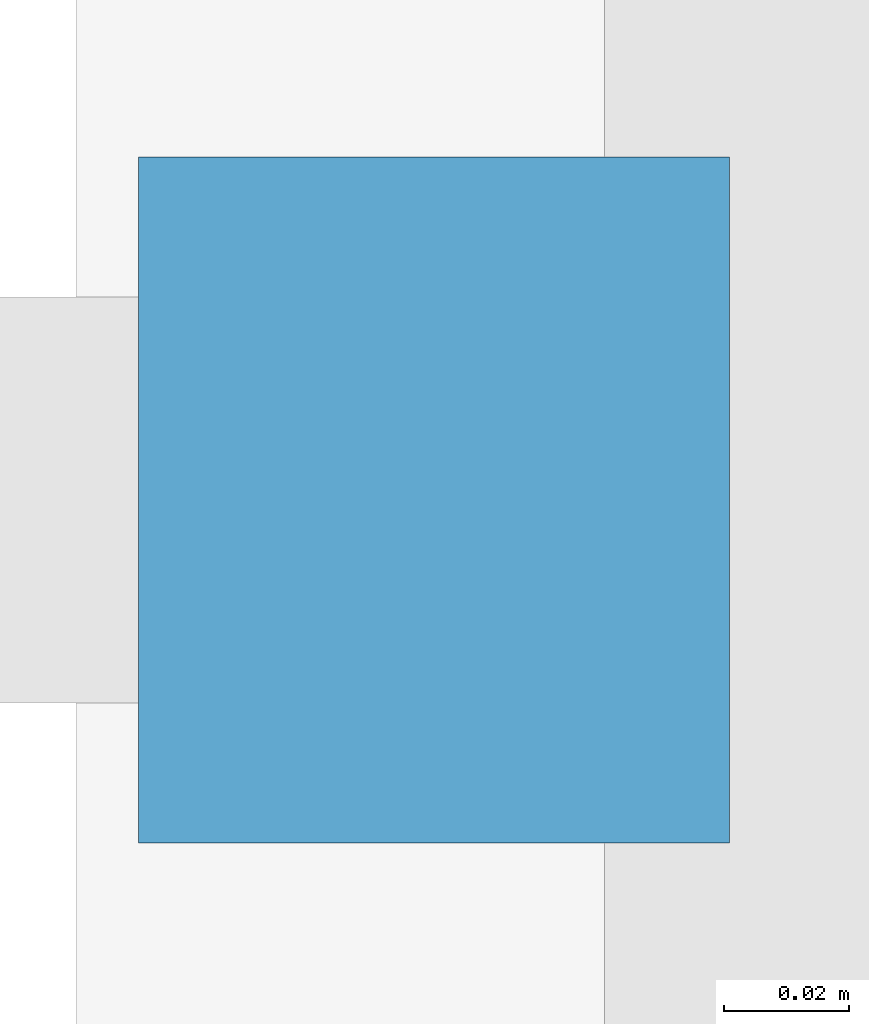
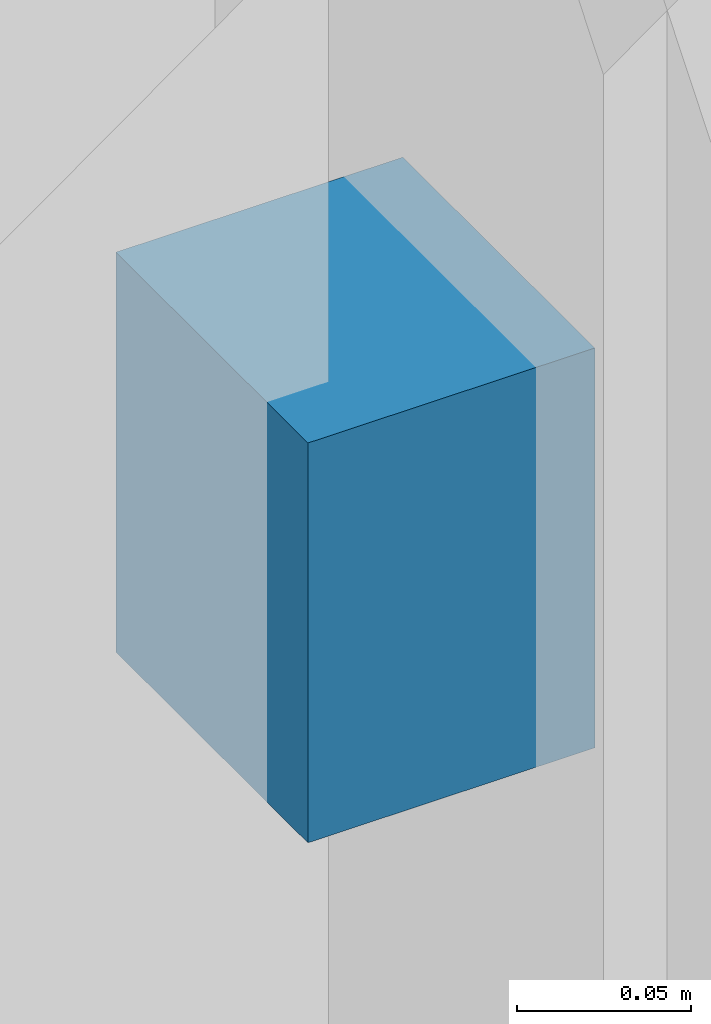
# One storey, part 12 of 16: 1 discrete accessory.
"""IFC4 building model written with IfcOpenShell, lengths in metres."""

from ifc_helpers import new_model, si_unit, direction, frame, origin, place, context, subcontext, project, spatial, polyline, outline, extrude, material, type_object, element, save


model = new_model("IFC4")

# Units and contexts
model_context = context("Model", 3, precision=1e-05, world=origin(), true_north=direction((0.0, 1.0)))
body_context = subcontext(model_context, "Body", "Model", "MODEL_VIEW")
ifc_project = project(units=[si_unit("LENGTHUNIT", "METRE"), si_unit("AREAUNIT", "SQUARE_METRE"), si_unit("VOLUMEUNIT", "CUBIC_METRE"), si_unit("PLANEANGLEUNIT", "RADIAN"), si_unit("MASSUNIT", "GRAM", prefix="KILO")], contexts=[model_context])

# Site, building, storey
site_placement = place(None, origin())
site = spatial("IfcSite", under=ifc_project, at=site_placement, CompositionType="ELEMENT")
building_placement = place(site_placement, origin())
building = spatial("IfcBuilding", under=site, at=building_placement, Name="Qalmaran Belvedere Hotel", CompositionType="ELEMENT")
storey_placement = place(building_placement, frame((0.0, 0.0, 138.60009765625)))
storey = spatial("IfcBuildingStorey", under=building, at=storey_placement, Name="L34", CompositionType="ELEMENT", Elevation=138.60009765625)

# Discrete accessory
ifc_material = material(Name="Stainless Steel 1.4401", Category="steel")
discrete_accessory_type = type_object("IfcDiscreteAccessoryType", Name="BRK-FIN-SS316", PredefinedType="BRACKET", material=ifc_material)
discrete_accessory_placement = place(storey_placement, frame((0.0, 0.0, 1.574951171875)))
element("IfcDiscreteAccessory", 1, at=discrete_accessory_placement, inside=storey, type_object=discrete_accessory_type, Name="L34 Fin Bracket 1", PredefinedType="BRACKET", context=body_context, shape_type="SweptSolid", body=[
    extrude(outline(polyline([(11.455078125, 32.405029296875), (11.360107421875, 32.405029296875), (11.360107421875, 32.294921875), (11.455078125, 32.294921875), (11.455078125, 32.405029296875)])), origin(), (0.0, 0.0, 1.0), 0.139892578125),
])

save(model, "model.ifc")
